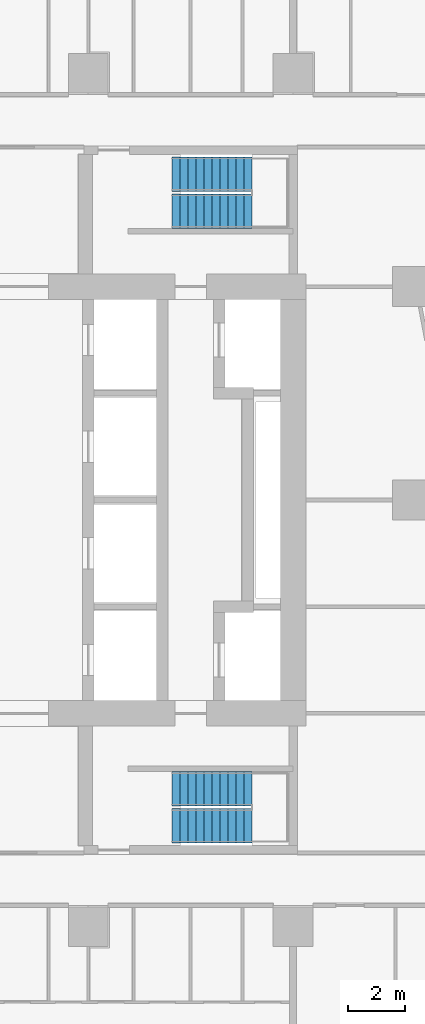
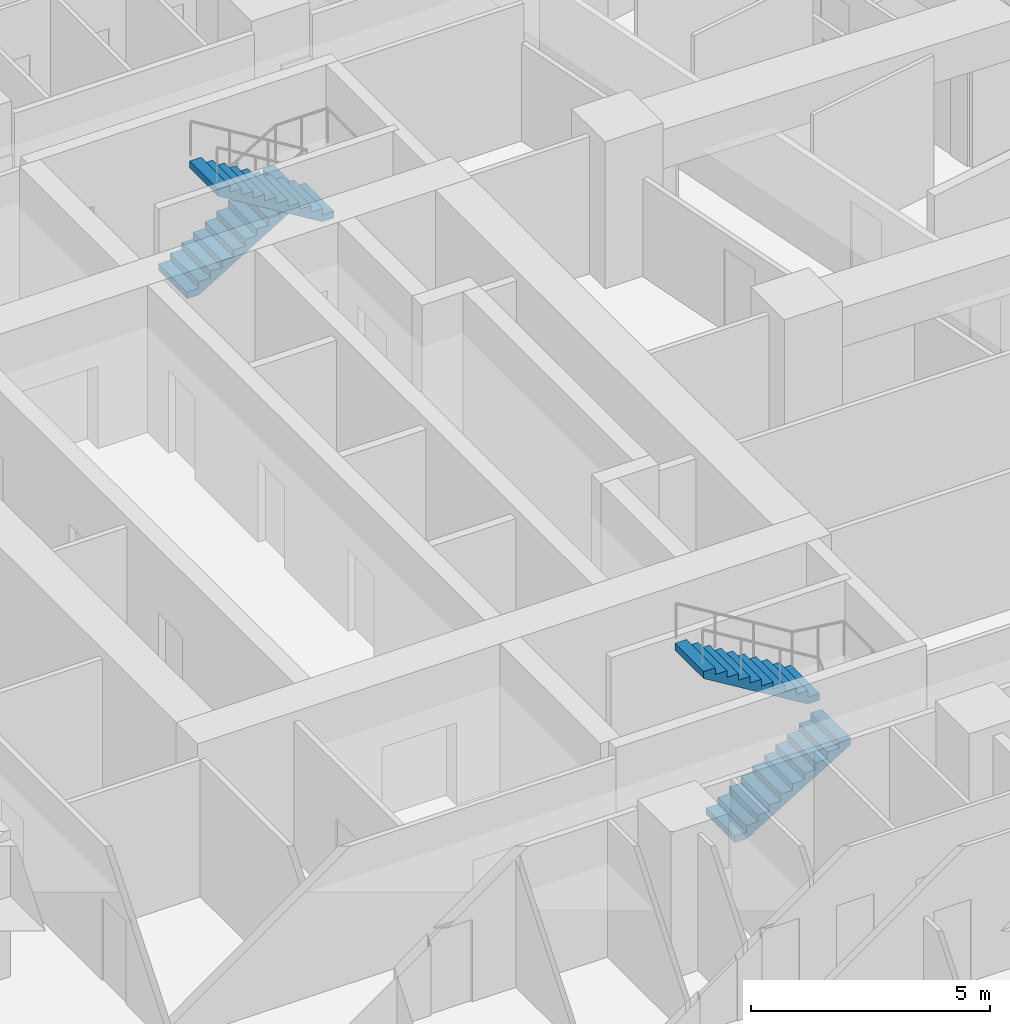
# One storey, part 18 of 19: 4 stair flights, 2 elements without a shape of their own.
"""IFC4 building model written with IfcOpenShell, lengths in metres."""

from ifc_helpers import new_model, si_unit, direction, frame, origin, place, context, subcontext, project, spatial, triangles, material, type_object, element, aggregate, save


model = new_model("IFC4")

# Units and contexts
model_context = context("Model", 3, precision=1e-05, world=origin(), true_north=direction((0.0, 1.0)))
body_context = subcontext(model_context, "Body", "Model", "MODEL_VIEW")
ifc_project = project(units=[si_unit("LENGTHUNIT", "METRE"), si_unit("AREAUNIT", "SQUARE_METRE"), si_unit("VOLUMEUNIT", "CUBIC_METRE"), si_unit("PLANEANGLEUNIT", "RADIAN"), si_unit("MASSUNIT", "GRAM", prefix="KILO")], contexts=[model_context])

# Site, building, storey
site_placement = place(None, origin())
site = spatial("IfcSite", under=ifc_project, at=site_placement, CompositionType="ELEMENT")
building_placement = place(site_placement, origin())
building = spatial("IfcBuilding", under=site, at=building_placement, Name="Sheger Commons Tower", CompositionType="ELEMENT")
storey_placement = place(building_placement, frame((0.0, 0.0, 201.199951171875)))
storey = spatial("IfcBuildingStorey", under=building, at=storey_placement, Name="L51", CompositionType="ELEMENT", Elevation=201.199951171875)

# Stair, stair flights
ifc_material_1 = material(Name="Concrete C35/45", Category="concrete")
stair_type = type_object("IfcStairType", Name="HALF-TURN STAIR 1200 RISE 3750", PredefinedType="HALF_TURN_STAIR", material=ifc_material_1)
stair_1_placement = place(storey_placement, origin())
stair_1 = element("IfcStair", 1, at=stair_1_placement, inside=storey, type_object=stair_type, Name="Stair S1 L51", PredefinedType="HALF_TURN_STAIR")
ifc_material_2 = material(Name="Concrete C35/45", Category="concrete")
stair_flight_type = type_object("IfcStairFlightType", Name="STAIR FLIGHT 1200 11 RISERS OF 170", PredefinedType="STRAIGHT", material=ifc_material_2)
stair_flight_1_placement = place(storey_placement, frame((24.550048828125, 11.050048828125, 0.0), z_axis=(0.0, 0.0, 1.0), x_axis=(1.0, 0.0, 0.0)))
stair_flight_1 = element("IfcStairFlight", 2, at=stair_flight_1_placement, type_object=stair_flight_type, Name="S1 flight 1", NumberOfRisers=11, NumberOfTreads=10, PredefinedType="STRAIGHT", RiserHeight=0.170454545, TreadLength=0.28, context=body_context, shape_type="Tessellation", body=[
    triangles([(0.0, 0.5999755859375, 0.0), (0.0, 0.5999755859375, 0.17041015625), (0.280029296875, 0.5999755859375, 0.17041015625), (0.280029296875, 0.5999755859375, 0.3408203125), (0.56005859375, 0.5999755859375, 0.3408203125), (0.56005859375, 0.5999755859375, 0.511474609375), (0.840087890625, 0.5999755859375, 0.511474609375), (0.840087890625, 0.5999755859375, 0.681884765625), (1.1201171875, 0.5999755859375, 0.681884765625), (1.1201171875, 0.5999755859375, 0.852294921875), (1.39990234375, 0.5999755859375, 0.852294921875), (1.39990234375, 0.5999755859375, 1.022705078125), (1.679931640625, 0.5999755859375, 1.022705078125), (1.679931640625, 0.5999755859375, 1.193115234375), (1.9599609375, 0.5999755859375, 1.193115234375), (1.9599609375, 0.5999755859375, 1.363525390625), (2.239990234375, 0.5999755859375, 1.363525390625), (2.239990234375, 0.5999755859375, 1.5341796875), (2.52001953125, 0.5999755859375, 1.5341796875), (2.52001953125, 0.5999755859375, 1.70458984375), (2.800048828125, 0.5999755859375, 1.70458984375), (2.800048828125, 0.5999755859375, 1.529052734375), (0.288330078125, 0.5999755859375, 0.0), (0.0, -0.5999755859375, 0.0), (0.0, -0.5999755859375, 0.17041015625), (0.280029296875, -0.5999755859375, 0.17041015625), (0.280029296875, -0.5999755859375, 0.3408203125), (0.56005859375, -0.5999755859375, 0.3408203125), (0.56005859375, -0.5999755859375, 0.511474609375), (0.840087890625, -0.5999755859375, 0.511474609375), (0.840087890625, -0.5999755859375, 0.681884765625), (1.1201171875, -0.5999755859375, 0.681884765625), (1.1201171875, -0.5999755859375, 0.852294921875), (1.39990234375, -0.5999755859375, 0.852294921875), (1.39990234375, -0.5999755859375, 1.022705078125), (1.679931640625, -0.5999755859375, 1.022705078125), (1.679931640625, -0.5999755859375, 1.193115234375), (1.9599609375, -0.5999755859375, 1.193115234375), (1.9599609375, -0.5999755859375, 1.363525390625), (2.239990234375, -0.5999755859375, 1.363525390625), (2.239990234375, -0.5999755859375, 1.5341796875), (2.52001953125, -0.5999755859375, 1.5341796875), (2.52001953125, -0.5999755859375, 1.70458984375), (2.800048828125, -0.5999755859375, 1.70458984375), (2.800048828125, -0.5999755859375, 1.529052734375), (0.288330078125, -0.5999755859375, 0.0), (0.0, 0.0, 0.085205078125), (0.1400146484375, 0.0, 0.17041015625), (0.280029296875, 0.0, 0.255615234375), (0.4200439453125, 0.0, 0.3408203125), (0.56005859375, 0.0, 0.4261474609375), (0.7000732421875, 0.0, 0.511474609375), (0.840087890625, 0.0, 0.5966796875), (0.9801025390625, 0.0, 0.681884765625), (1.1201171875, 0.0, 0.76708984375), (1.260009765625, 0.0, 0.852294921875), (1.39990234375, 0.0, 0.9375), (1.5399169921875, 0.0, 1.022705078125), (1.679931640625, 0.0, 1.10791015625), (1.8199462890625, 0.0, 1.193115234375), (1.9599609375, 0.0, 1.2783203125), (2.0999755859375, 0.0, 1.363525390625), (2.239990234375, 0.0, 1.4488525390625), (2.3800048828125, 0.0, 1.5341796875), (2.52001953125, 0.0, 1.619384765625), (2.6600341796875, 0.0, 1.70458984375), (2.800048828125, 0.0, 1.6168212890625), (1.544189453125, 0.0, 0.7645263671875), (0.1441650390625, 0.0, 0.0)], [[1, 22, 23], [24, 46, 45], [22, 20, 21], [45, 44, 43], [22, 19, 20], [45, 43, 42], [22, 18, 19], [45, 42, 41], [22, 17, 18], [45, 41, 40], [17, 15, 16], [40, 39, 38], [22, 15, 17], [45, 40, 38], [15, 13, 14], [38, 37, 36], [22, 13, 15], [45, 38, 36], [13, 11, 12], [36, 35, 34], [22, 11, 13], [45, 36, 34], [11, 9, 10], [34, 33, 32], [22, 9, 11], [45, 34, 32], [9, 7, 8], [32, 31, 30], [22, 7, 9], [45, 32, 30], [7, 5, 6], [30, 29, 28], [22, 5, 7], [45, 30, 28], [5, 3, 4], [28, 27, 26], [22, 3, 5], [45, 28, 26], [1, 3, 22], [24, 45, 26], [3, 1, 2], [26, 25, 24], [1, 47, 2], [2, 47, 25], [25, 47, 24], [24, 47, 1], [2, 48, 3], [3, 48, 26], [26, 48, 25], [25, 48, 2], [3, 49, 4], [4, 49, 27], [27, 49, 26], [26, 49, 3], [4, 50, 5], [5, 50, 28], [28, 50, 27], [27, 50, 4], [5, 51, 6], [6, 51, 29], [29, 51, 28], [28, 51, 5], [6, 52, 7], [7, 52, 30], [30, 52, 29], [29, 52, 6], [7, 53, 8], [8, 53, 31], [31, 53, 30], [30, 53, 7], [8, 54, 9], [9, 54, 32], [32, 54, 31], [31, 54, 8], [9, 55, 10], [10, 55, 33], [33, 55, 32], [32, 55, 9], [10, 56, 11], [11, 56, 34], [34, 56, 33], [33, 56, 10], [11, 57, 12], [12, 57, 35], [35, 57, 34], [34, 57, 11], [12, 58, 13], [13, 58, 36], [36, 58, 35], [35, 58, 12], [13, 59, 14], [14, 59, 37], [37, 59, 36], [36, 59, 13], [14, 60, 15], [15, 60, 38], [38, 60, 37], [37, 60, 14], [15, 61, 16], [16, 61, 39], [39, 61, 38], [38, 61, 15], [16, 62, 17], [17, 62, 40], [40, 62, 39], [39, 62, 16], [17, 63, 18], [18, 63, 41], [41, 63, 40], [40, 63, 17], [18, 64, 19], [19, 64, 42], [42, 64, 41], [41, 64, 18], [19, 65, 20], [20, 65, 43], [43, 65, 42], [42, 65, 19], [20, 66, 21], [21, 66, 44], [44, 66, 43], [43, 66, 20], [21, 67, 22], [22, 67, 45], [45, 67, 44], [44, 67, 21], [22, 68, 23], [23, 68, 46], [46, 68, 45], [45, 68, 22], [23, 69, 1], [1, 69, 24], [24, 69, 46], [46, 69, 23]], closed=True),
])
stair_flight_2_placement = place(storey_placement, frame((27.35009765625, 12.35009765625, 1.875), z_axis=(0.0, 0.0, 1.0), x_axis=(-1.0, 0.0, 0.0)))
stair_flight_2 = element("IfcStairFlight", 3, at=stair_flight_2_placement, type_object=stair_flight_type, Name="S1 flight 2", NumberOfRisers=11, NumberOfTreads=10, PredefinedType="STRAIGHT", RiserHeight=0.170454545, TreadLength=0.28, context=body_context, shape_type="Tessellation", body=[
    triangles([(0.0, 0.5999755859375, 0.0), (0.0, 0.5999755859375, 0.17041015625), (0.280029296875, 0.5999755859375, 0.17041015625), (0.280029296875, 0.5999755859375, 0.3408203125), (0.56005859375, 0.5999755859375, 0.3408203125), (0.56005859375, 0.5999755859375, 0.511474609375), (0.840087890625, 0.5999755859375, 0.511474609375), (0.840087890625, 0.5999755859375, 0.681884765625), (1.1201171875, 0.5999755859375, 0.681884765625), (1.1201171875, 0.5999755859375, 0.852294921875), (1.39990234375, 0.5999755859375, 0.852294921875), (1.39990234375, 0.5999755859375, 1.022705078125), (1.679931640625, 0.5999755859375, 1.022705078125), (1.679931640625, 0.5999755859375, 1.193115234375), (1.9599609375, 0.5999755859375, 1.193115234375), (1.9599609375, 0.5999755859375, 1.363525390625), (2.239990234375, 0.5999755859375, 1.363525390625), (2.239990234375, 0.5999755859375, 1.5341796875), (2.52001953125, 0.5999755859375, 1.5341796875), (2.52001953125, 0.5999755859375, 1.70458984375), (2.800048828125, 0.5999755859375, 1.70458984375), (2.800048828125, 0.5999755859375, 1.529052734375), (0.288330078125, 0.5999755859375, 0.0), (0.0, -0.5999755859375, 0.0), (0.0, -0.5999755859375, 0.17041015625), (0.280029296875, -0.5999755859375, 0.17041015625), (0.280029296875, -0.5999755859375, 0.3408203125), (0.56005859375, -0.5999755859375, 0.3408203125), (0.56005859375, -0.5999755859375, 0.511474609375), (0.840087890625, -0.5999755859375, 0.511474609375), (0.840087890625, -0.5999755859375, 0.681884765625), (1.1201171875, -0.5999755859375, 0.681884765625), (1.1201171875, -0.5999755859375, 0.852294921875), (1.39990234375, -0.5999755859375, 0.852294921875), (1.39990234375, -0.5999755859375, 1.022705078125), (1.679931640625, -0.5999755859375, 1.022705078125), (1.679931640625, -0.5999755859375, 1.193115234375), (1.9599609375, -0.5999755859375, 1.193115234375), (1.9599609375, -0.5999755859375, 1.363525390625), (2.239990234375, -0.5999755859375, 1.363525390625), (2.239990234375, -0.5999755859375, 1.5341796875), (2.52001953125, -0.5999755859375, 1.5341796875), (2.52001953125, -0.5999755859375, 1.70458984375), (2.800048828125, -0.5999755859375, 1.70458984375), (2.800048828125, -0.5999755859375, 1.529052734375), (0.288330078125, -0.5999755859375, 0.0), (0.0, 0.0, 0.085205078125), (0.1400146484375, 0.0, 0.17041015625), (0.280029296875, 0.0, 0.255615234375), (0.4200439453125, 0.0, 0.3408203125), (0.56005859375, 0.0, 0.4261474609375), (0.7000732421875, 0.0, 0.511474609375), (0.840087890625, 0.0, 0.5966796875), (0.9801025390625, 0.0, 0.681884765625), (1.1201171875, 0.0, 0.76708984375), (1.260009765625, 0.0, 0.852294921875), (1.39990234375, 0.0, 0.9375), (1.5399169921875, 0.0, 1.022705078125), (1.679931640625, 0.0, 1.10791015625), (1.8199462890625, 0.0, 1.193115234375), (1.9599609375, 0.0, 1.2783203125), (2.0999755859375, 0.0, 1.363525390625), (2.239990234375, 0.0, 1.4488525390625), (2.3800048828125, 0.0, 1.5341796875), (2.52001953125, 0.0, 1.619384765625), (2.6600341796875, 0.0, 1.70458984375), (2.800048828125, 0.0, 1.6168212890625), (1.544189453125, 0.0, 0.7645263671875), (0.1441650390625, 0.0, 0.0)], [[1, 22, 23], [24, 46, 45], [22, 20, 21], [45, 44, 43], [22, 19, 20], [45, 43, 42], [22, 18, 19], [45, 42, 41], [22, 17, 18], [45, 41, 40], [17, 15, 16], [40, 39, 38], [22, 15, 17], [45, 40, 38], [15, 13, 14], [38, 37, 36], [22, 13, 15], [45, 38, 36], [13, 11, 12], [36, 35, 34], [22, 11, 13], [45, 36, 34], [11, 9, 10], [34, 33, 32], [22, 9, 11], [45, 34, 32], [9, 7, 8], [32, 31, 30], [22, 7, 9], [45, 32, 30], [7, 5, 6], [30, 29, 28], [22, 5, 7], [45, 30, 28], [5, 3, 4], [28, 27, 26], [22, 3, 5], [45, 28, 26], [1, 3, 22], [24, 45, 26], [3, 1, 2], [26, 25, 24], [1, 47, 2], [2, 47, 25], [25, 47, 24], [24, 47, 1], [2, 48, 3], [3, 48, 26], [26, 48, 25], [25, 48, 2], [3, 49, 4], [4, 49, 27], [27, 49, 26], [26, 49, 3], [4, 50, 5], [5, 50, 28], [28, 50, 27], [27, 50, 4], [5, 51, 6], [6, 51, 29], [29, 51, 28], [28, 51, 5], [6, 52, 7], [7, 52, 30], [30, 52, 29], [29, 52, 6], [7, 53, 8], [8, 53, 31], [31, 53, 30], [30, 53, 7], [8, 54, 9], [9, 54, 32], [32, 54, 31], [31, 54, 8], [9, 55, 10], [10, 55, 33], [33, 55, 32], [32, 55, 9], [10, 56, 11], [11, 56, 34], [34, 56, 33], [33, 56, 10], [11, 57, 12], [12, 57, 35], [35, 57, 34], [34, 57, 11], [12, 58, 13], [13, 58, 36], [36, 58, 35], [35, 58, 12], [13, 59, 14], [14, 59, 37], [37, 59, 36], [36, 59, 13], [14, 60, 15], [15, 60, 38], [38, 60, 37], [37, 60, 14], [15, 61, 16], [16, 61, 39], [39, 61, 38], [38, 61, 15], [16, 62, 17], [17, 62, 40], [40, 62, 39], [39, 62, 16], [17, 63, 18], [18, 63, 41], [41, 63, 40], [40, 63, 17], [18, 64, 19], [19, 64, 42], [42, 64, 41], [41, 64, 18], [19, 65, 20], [20, 65, 43], [43, 65, 42], [42, 65, 19], [20, 66, 21], [21, 66, 44], [44, 66, 43], [43, 66, 20], [21, 67, 22], [22, 67, 45], [45, 67, 44], [44, 67, 21], [22, 68, 23], [23, 68, 46], [46, 68, 45], [45, 68, 22], [23, 69, 1], [1, 69, 24], [24, 69, 46], [46, 69, 23]], closed=True),
])
aggregate(stair_1, [stair_flight_1, stair_flight_2])

stair_2_placement = place(storey_placement, origin())
stair_2 = element("IfcStair", 4, at=stair_2_placement, inside=storey, type_object=stair_type, Name="Stair S2 L51", PredefinedType="HALF_TURN_STAIR")
stair_flight_3_placement = place(storey_placement, frame((24.550048828125, 33.949951171875, 0.0), z_axis=(0.0, 0.0, 1.0), x_axis=(1.0, 0.0, 0.0)))
stair_flight_3 = element("IfcStairFlight", 5, at=stair_flight_3_placement, type_object=stair_flight_type, Name="S2 flight 1", NumberOfRisers=11, NumberOfTreads=10, PredefinedType="STRAIGHT", RiserHeight=0.170454545, TreadLength=0.28, context=body_context, shape_type="Tessellation", body=[
    triangles([(0.0, 0.5999755859375, 0.0), (0.0, 0.5999755859375, 0.17041015625), (0.280029296875, 0.5999755859375, 0.17041015625), (0.280029296875, 0.5999755859375, 0.3408203125), (0.56005859375, 0.5999755859375, 0.3408203125), (0.56005859375, 0.5999755859375, 0.511474609375), (0.840087890625, 0.5999755859375, 0.511474609375), (0.840087890625, 0.5999755859375, 0.681884765625), (1.1201171875, 0.5999755859375, 0.681884765625), (1.1201171875, 0.5999755859375, 0.852294921875), (1.39990234375, 0.5999755859375, 0.852294921875), (1.39990234375, 0.5999755859375, 1.022705078125), (1.679931640625, 0.5999755859375, 1.022705078125), (1.679931640625, 0.5999755859375, 1.193115234375), (1.9599609375, 0.5999755859375, 1.193115234375), (1.9599609375, 0.5999755859375, 1.363525390625), (2.239990234375, 0.5999755859375, 1.363525390625), (2.239990234375, 0.5999755859375, 1.5341796875), (2.52001953125, 0.5999755859375, 1.5341796875), (2.52001953125, 0.5999755859375, 1.70458984375), (2.800048828125, 0.5999755859375, 1.70458984375), (2.800048828125, 0.5999755859375, 1.529052734375), (0.288330078125, 0.5999755859375, 0.0), (0.0, -0.5999755859375, 0.0), (0.0, -0.5999755859375, 0.17041015625), (0.280029296875, -0.5999755859375, 0.17041015625), (0.280029296875, -0.5999755859375, 0.3408203125), (0.56005859375, -0.5999755859375, 0.3408203125), (0.56005859375, -0.5999755859375, 0.511474609375), (0.840087890625, -0.5999755859375, 0.511474609375), (0.840087890625, -0.5999755859375, 0.681884765625), (1.1201171875, -0.5999755859375, 0.681884765625), (1.1201171875, -0.5999755859375, 0.852294921875), (1.39990234375, -0.5999755859375, 0.852294921875), (1.39990234375, -0.5999755859375, 1.022705078125), (1.679931640625, -0.5999755859375, 1.022705078125), (1.679931640625, -0.5999755859375, 1.193115234375), (1.9599609375, -0.5999755859375, 1.193115234375), (1.9599609375, -0.5999755859375, 1.363525390625), (2.239990234375, -0.5999755859375, 1.363525390625), (2.239990234375, -0.5999755859375, 1.5341796875), (2.52001953125, -0.5999755859375, 1.5341796875), (2.52001953125, -0.5999755859375, 1.70458984375), (2.800048828125, -0.5999755859375, 1.70458984375), (2.800048828125, -0.5999755859375, 1.529052734375), (0.288330078125, -0.5999755859375, 0.0), (0.0, 0.0, 0.085205078125), (0.1400146484375, 0.0, 0.17041015625), (0.280029296875, 0.0, 0.255615234375), (0.4200439453125, 0.0, 0.3408203125), (0.56005859375, 0.0, 0.4261474609375), (0.7000732421875, 0.0, 0.511474609375), (0.840087890625, 0.0, 0.5966796875), (0.9801025390625, 0.0, 0.681884765625), (1.1201171875, 0.0, 0.76708984375), (1.260009765625, 0.0, 0.852294921875), (1.39990234375, 0.0, 0.9375), (1.5399169921875, 0.0, 1.022705078125), (1.679931640625, 0.0, 1.10791015625), (1.8199462890625, 0.0, 1.193115234375), (1.9599609375, 0.0, 1.2783203125), (2.0999755859375, 0.0, 1.363525390625), (2.239990234375, 0.0, 1.4488525390625), (2.3800048828125, 0.0, 1.5341796875), (2.52001953125, 0.0, 1.619384765625), (2.6600341796875, 0.0, 1.70458984375), (2.800048828125, 0.0, 1.6168212890625), (1.544189453125, 0.0, 0.7645263671875), (0.1441650390625, 0.0, 0.0)], [[1, 22, 23], [24, 46, 45], [22, 20, 21], [45, 44, 43], [22, 19, 20], [45, 43, 42], [22, 18, 19], [45, 42, 41], [22, 17, 18], [45, 41, 40], [17, 15, 16], [40, 39, 38], [22, 15, 17], [45, 40, 38], [15, 13, 14], [38, 37, 36], [22, 13, 15], [45, 38, 36], [13, 11, 12], [36, 35, 34], [22, 11, 13], [45, 36, 34], [11, 9, 10], [34, 33, 32], [22, 9, 11], [45, 34, 32], [9, 7, 8], [32, 31, 30], [22, 7, 9], [45, 32, 30], [7, 5, 6], [30, 29, 28], [22, 5, 7], [45, 30, 28], [5, 3, 4], [28, 27, 26], [22, 3, 5], [45, 28, 26], [1, 3, 22], [24, 45, 26], [3, 1, 2], [26, 25, 24], [1, 47, 2], [2, 47, 25], [25, 47, 24], [24, 47, 1], [2, 48, 3], [3, 48, 26], [26, 48, 25], [25, 48, 2], [3, 49, 4], [4, 49, 27], [27, 49, 26], [26, 49, 3], [4, 50, 5], [5, 50, 28], [28, 50, 27], [27, 50, 4], [5, 51, 6], [6, 51, 29], [29, 51, 28], [28, 51, 5], [6, 52, 7], [7, 52, 30], [30, 52, 29], [29, 52, 6], [7, 53, 8], [8, 53, 31], [31, 53, 30], [30, 53, 7], [8, 54, 9], [9, 54, 32], [32, 54, 31], [31, 54, 8], [9, 55, 10], [10, 55, 33], [33, 55, 32], [32, 55, 9], [10, 56, 11], [11, 56, 34], [34, 56, 33], [33, 56, 10], [11, 57, 12], [12, 57, 35], [35, 57, 34], [34, 57, 11], [12, 58, 13], [13, 58, 36], [36, 58, 35], [35, 58, 12], [13, 59, 14], [14, 59, 37], [37, 59, 36], [36, 59, 13], [14, 60, 15], [15, 60, 38], [38, 60, 37], [37, 60, 14], [15, 61, 16], [16, 61, 39], [39, 61, 38], [38, 61, 15], [16, 62, 17], [17, 62, 40], [40, 62, 39], [39, 62, 16], [17, 63, 18], [18, 63, 41], [41, 63, 40], [40, 63, 17], [18, 64, 19], [19, 64, 42], [42, 64, 41], [41, 64, 18], [19, 65, 20], [20, 65, 43], [43, 65, 42], [42, 65, 19], [20, 66, 21], [21, 66, 44], [44, 66, 43], [43, 66, 20], [21, 67, 22], [22, 67, 45], [45, 67, 44], [44, 67, 21], [22, 68, 23], [23, 68, 46], [46, 68, 45], [45, 68, 22], [23, 69, 1], [1, 69, 24], [24, 69, 46], [46, 69, 23]], closed=True),
])
stair_flight_4_placement = place(storey_placement, frame((27.35009765625, 32.64990234375, 1.875), z_axis=(0.0, 0.0, 1.0), x_axis=(-1.0, 0.0, 0.0)))
stair_flight_4 = element("IfcStairFlight", 6, at=stair_flight_4_placement, type_object=stair_flight_type, Name="S2 flight 2", NumberOfRisers=11, NumberOfTreads=10, PredefinedType="STRAIGHT", RiserHeight=0.170454545, TreadLength=0.28, context=body_context, shape_type="Tessellation", body=[
    triangles([(0.0, 0.5999755859375, 0.0), (0.0, 0.5999755859375, 0.17041015625), (0.280029296875, 0.5999755859375, 0.17041015625), (0.280029296875, 0.5999755859375, 0.3408203125), (0.56005859375, 0.5999755859375, 0.3408203125), (0.56005859375, 0.5999755859375, 0.511474609375), (0.840087890625, 0.5999755859375, 0.511474609375), (0.840087890625, 0.5999755859375, 0.681884765625), (1.1201171875, 0.5999755859375, 0.681884765625), (1.1201171875, 0.5999755859375, 0.852294921875), (1.39990234375, 0.5999755859375, 0.852294921875), (1.39990234375, 0.5999755859375, 1.022705078125), (1.679931640625, 0.5999755859375, 1.022705078125), (1.679931640625, 0.5999755859375, 1.193115234375), (1.9599609375, 0.5999755859375, 1.193115234375), (1.9599609375, 0.5999755859375, 1.363525390625), (2.239990234375, 0.5999755859375, 1.363525390625), (2.239990234375, 0.5999755859375, 1.5341796875), (2.52001953125, 0.5999755859375, 1.5341796875), (2.52001953125, 0.5999755859375, 1.70458984375), (2.800048828125, 0.5999755859375, 1.70458984375), (2.800048828125, 0.5999755859375, 1.529052734375), (0.288330078125, 0.5999755859375, 0.0), (0.0, -0.5999755859375, 0.0), (0.0, -0.5999755859375, 0.17041015625), (0.280029296875, -0.5999755859375, 0.17041015625), (0.280029296875, -0.5999755859375, 0.3408203125), (0.56005859375, -0.5999755859375, 0.3408203125), (0.56005859375, -0.5999755859375, 0.511474609375), (0.840087890625, -0.5999755859375, 0.511474609375), (0.840087890625, -0.5999755859375, 0.681884765625), (1.1201171875, -0.5999755859375, 0.681884765625), (1.1201171875, -0.5999755859375, 0.852294921875), (1.39990234375, -0.5999755859375, 0.852294921875), (1.39990234375, -0.5999755859375, 1.022705078125), (1.679931640625, -0.5999755859375, 1.022705078125), (1.679931640625, -0.5999755859375, 1.193115234375), (1.9599609375, -0.5999755859375, 1.193115234375), (1.9599609375, -0.5999755859375, 1.363525390625), (2.239990234375, -0.5999755859375, 1.363525390625), (2.239990234375, -0.5999755859375, 1.5341796875), (2.52001953125, -0.5999755859375, 1.5341796875), (2.52001953125, -0.5999755859375, 1.70458984375), (2.800048828125, -0.5999755859375, 1.70458984375), (2.800048828125, -0.5999755859375, 1.529052734375), (0.288330078125, -0.5999755859375, 0.0), (0.0, 0.0, 0.085205078125), (0.1400146484375, 0.0, 0.17041015625), (0.280029296875, 0.0, 0.255615234375), (0.4200439453125, 0.0, 0.3408203125), (0.56005859375, 0.0, 0.4261474609375), (0.7000732421875, 0.0, 0.511474609375), (0.840087890625, 0.0, 0.5966796875), (0.9801025390625, 0.0, 0.681884765625), (1.1201171875, 0.0, 0.76708984375), (1.260009765625, 0.0, 0.852294921875), (1.39990234375, 0.0, 0.9375), (1.5399169921875, 0.0, 1.022705078125), (1.679931640625, 0.0, 1.10791015625), (1.8199462890625, 0.0, 1.193115234375), (1.9599609375, 0.0, 1.2783203125), (2.0999755859375, 0.0, 1.363525390625), (2.239990234375, 0.0, 1.4488525390625), (2.3800048828125, 0.0, 1.5341796875), (2.52001953125, 0.0, 1.619384765625), (2.6600341796875, 0.0, 1.70458984375), (2.800048828125, 0.0, 1.6168212890625), (1.544189453125, 0.0, 0.7645263671875), (0.1441650390625, 0.0, 0.0)], [[1, 22, 23], [24, 46, 45], [22, 20, 21], [45, 44, 43], [22, 19, 20], [45, 43, 42], [22, 18, 19], [45, 42, 41], [22, 17, 18], [45, 41, 40], [17, 15, 16], [40, 39, 38], [22, 15, 17], [45, 40, 38], [15, 13, 14], [38, 37, 36], [22, 13, 15], [45, 38, 36], [13, 11, 12], [36, 35, 34], [22, 11, 13], [45, 36, 34], [11, 9, 10], [34, 33, 32], [22, 9, 11], [45, 34, 32], [9, 7, 8], [32, 31, 30], [22, 7, 9], [45, 32, 30], [7, 5, 6], [30, 29, 28], [22, 5, 7], [45, 30, 28], [5, 3, 4], [28, 27, 26], [22, 3, 5], [45, 28, 26], [1, 3, 22], [24, 45, 26], [3, 1, 2], [26, 25, 24], [1, 47, 2], [2, 47, 25], [25, 47, 24], [24, 47, 1], [2, 48, 3], [3, 48, 26], [26, 48, 25], [25, 48, 2], [3, 49, 4], [4, 49, 27], [27, 49, 26], [26, 49, 3], [4, 50, 5], [5, 50, 28], [28, 50, 27], [27, 50, 4], [5, 51, 6], [6, 51, 29], [29, 51, 28], [28, 51, 5], [6, 52, 7], [7, 52, 30], [30, 52, 29], [29, 52, 6], [7, 53, 8], [8, 53, 31], [31, 53, 30], [30, 53, 7], [8, 54, 9], [9, 54, 32], [32, 54, 31], [31, 54, 8], [9, 55, 10], [10, 55, 33], [33, 55, 32], [32, 55, 9], [10, 56, 11], [11, 56, 34], [34, 56, 33], [33, 56, 10], [11, 57, 12], [12, 57, 35], [35, 57, 34], [34, 57, 11], [12, 58, 13], [13, 58, 36], [36, 58, 35], [35, 58, 12], [13, 59, 14], [14, 59, 37], [37, 59, 36], [36, 59, 13], [14, 60, 15], [15, 60, 38], [38, 60, 37], [37, 60, 14], [15, 61, 16], [16, 61, 39], [39, 61, 38], [38, 61, 15], [16, 62, 17], [17, 62, 40], [40, 62, 39], [39, 62, 16], [17, 63, 18], [18, 63, 41], [41, 63, 40], [40, 63, 17], [18, 64, 19], [19, 64, 42], [42, 64, 41], [41, 64, 18], [19, 65, 20], [20, 65, 43], [43, 65, 42], [42, 65, 19], [20, 66, 21], [21, 66, 44], [44, 66, 43], [43, 66, 20], [21, 67, 22], [22, 67, 45], [45, 67, 44], [44, 67, 21], [22, 68, 23], [23, 68, 46], [46, 68, 45], [45, 68, 22], [23, 69, 1], [1, 69, 24], [24, 69, 46], [46, 69, 23]], closed=True),
])
aggregate(stair_2, [stair_flight_3, stair_flight_4])

save(model, "model.ifc")
